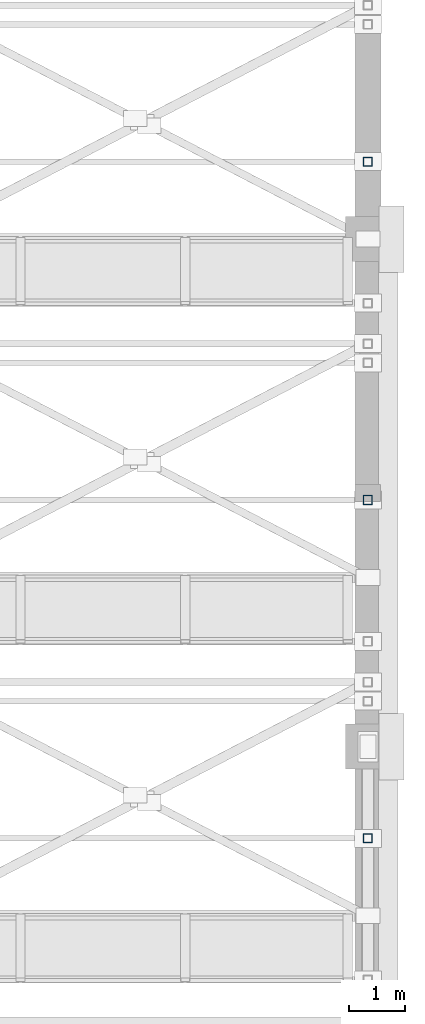
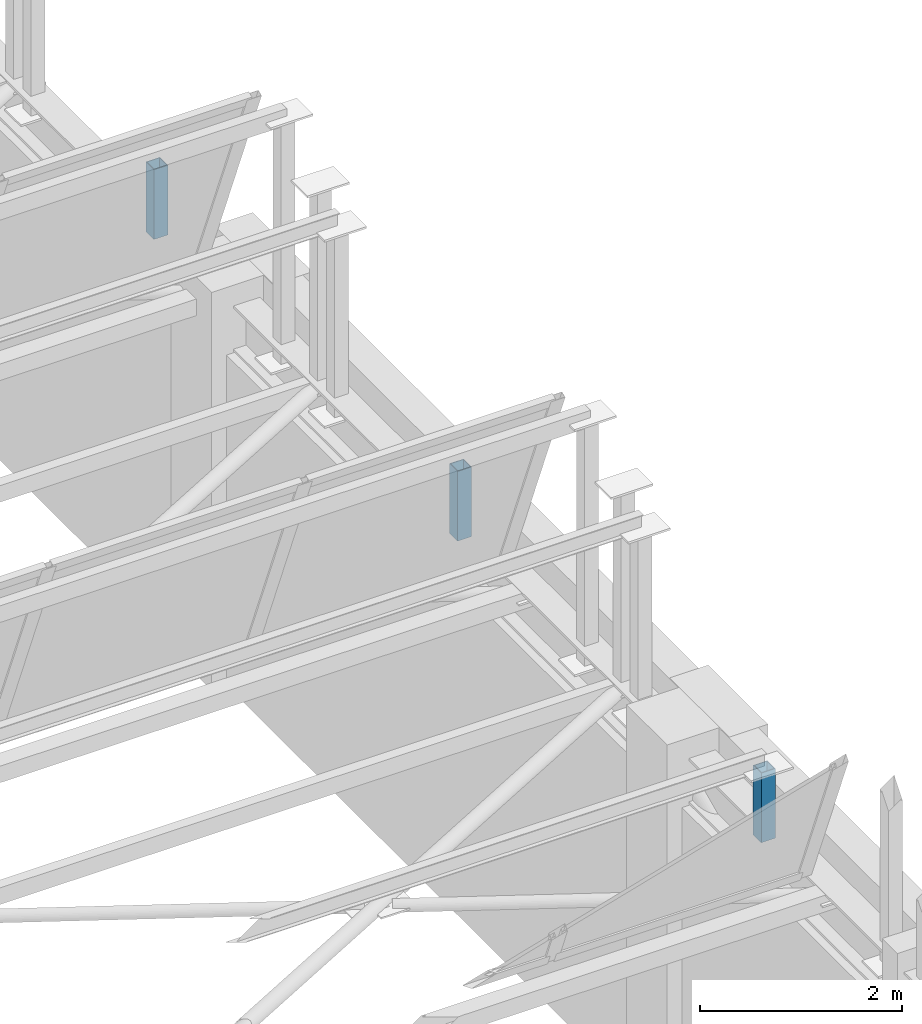
# One storey, part 66 of 98: 3 members.
"""IFC4 building model written with IfcOpenShell, lengths in metres."""

import ifcopenshell
import ifcopenshell.guid

model = None  # the IFC model being written
_history = None  # IfcOwnerHistory: only IFC2X3 demands one
_inside = {}  # id of a spatial element -> (the spatial element, [elements in it])
_under = {}  # id of a project, library or spatial element -> (it, [spatial elements below it])
_declared = {}  # id of a project -> (the project, [libraries it declares])
_typed = {}  # id of a type object -> (the type object, [elements of that type])
_made_of = {}  # id of a material, layer set ... -> (it, [elements and type objects made of it])


def new_model(schema):
    """Start an empty IFC model of exactly this schema.

    Asked for "IFC4X3", IfcOpenShell would pick the latest addendum, in which some entities
    have other attributes; the version numbers below select the first issue.
    IFC2X3 requires an IfcOwnerHistory on every rooted entity: one is made here for all.
    """
    global model, _history
    if schema == "IFC4X3":
        model = ifcopenshell.file(schema_version=(4, 3, 0, 0))
    else:
        model = ifcopenshell.file(schema=schema)
    _inside.clear()
    _under.clear()
    _declared.clear()
    _typed.clear()
    _made_of.clear()
    _history = None
    if model.schema == "IFC2X3":
        org = make("IfcOrganization", Name="unknown")
        user = make(
            "IfcPersonAndOrganization",
            ThePerson=make("IfcPerson", FamilyName="unknown"),
            TheOrganization=org,
        )
        app = make(
            "IfcApplication",
            ApplicationDeveloper=org,
            Version="unknown",
            ApplicationFullName="unknown",
            ApplicationIdentifier="unknown",
        )
        _history = make(
            "IfcOwnerHistory",
            OwningUser=user,
            OwningApplication=app,
            ChangeAction="ADDED",
            CreationDate=0,
        )
    return model


def make(cls, **values):
    """One entity of the class cls with the attributes given. An attribute that is None is left unset."""
    return model.create_entity(
        cls, **{name: value for name, value in values.items() if value is not None}
    )


def rooted(cls, **values):
    """An entity with a GlobalId (a new one), such as an element, a storey or a relation."""
    return make(cls, GlobalId=ifcopenshell.guid.new(), OwnerHistory=_history, **values)


def si_unit(unit_type, name, prefix=None):
    """IfcSIUnit, for example si_unit("LENGTHUNIT", "METRE", prefix="MILLI")."""
    return make("IfcSIUnit", UnitType=unit_type, Prefix=prefix, Name=name)


def assignment(units):
    """IfcUnitAssignment: the units of a project."""
    return None if units is None else make("IfcUnitAssignment", Units=units)


def point(xyz):
    """IfcCartesianPoint."""
    return None if xyz is None else make("IfcCartesianPoint", Coordinates=xyz)


def direction(xyz):
    """IfcDirection."""
    return None if xyz is None else make("IfcDirection", DirectionRatios=xyz)


def frame(location, z_axis=None, x_axis=None):
    """IfcAxis2Placement3D, a coordinate frame: its origin and axes. An axis left out is left unset."""
    return make(
        "IfcAxis2Placement3D",
        Location=point(location),
        Axis=direction(z_axis),
        RefDirection=direction(x_axis),
    )


def frame_2d(location, x_axis=None):
    """IfcAxis2Placement2D, a coordinate frame in the plane: its origin and x axis."""
    return make(
        "IfcAxis2Placement2D", Location=point(location), RefDirection=direction(x_axis)
    )


def origin():
    """The frame at (0, 0, 0) with its axes left unset."""
    return frame((0.0, 0.0, 0.0))


def origin_2d():
    """The frame at (0, 0) in the plane with its x axis left unset."""
    return frame_2d((0.0, 0.0))


def place(relative_to, where):
    """IfcLocalPlacement: puts the frame where relative to a parent placement (None: the world)."""
    return make(
        "IfcLocalPlacement", PlacementRelTo=relative_to, RelativePlacement=where
    )


def context(
    kind, dimensions, precision=None, world=None, true_north=None, identifier=None
):
    """IfcGeometricRepresentationContext, for example the 3D "Model" context."""
    return make(
        "IfcGeometricRepresentationContext",
        ContextIdentifier=identifier,
        ContextType=kind,
        CoordinateSpaceDimension=dimensions,
        Precision=precision,
        WorldCoordinateSystem=world,
        TrueNorth=true_north,
    )


def subcontext(parent, identifier, kind, view, scale=None):
    """IfcGeometricRepresentationSubContext, for example "Body" below "Model"."""
    return make(
        "IfcGeometricRepresentationSubContext",
        ContextIdentifier=identifier,
        ContextType=kind,
        ParentContext=parent,
        TargetScale=scale,
        TargetView=view,
    )


def project(units=None, contexts=None):
    """IfcProject with its units and contexts."""
    return rooted(
        "IfcProject",
        Name="project",
        RepresentationContexts=contexts,
        UnitsInContext=assignment(units),
    )


def spatial(cls, under=None, at=None, **own):
    """A site, building, storey or space (cls), placed at a placement, below another one or the project."""
    s = rooted(cls, ObjectPlacement=at, **own)
    if under is not None:
        _under.setdefault(under.id(), (under, []))[1].append(s)
    return s


def profile(cls, at=None, kind="AREA", **sizes):
    """A parametric profile (cls). Its sizes go by their IFC names, for example OverallWidth=200.0."""
    return make(cls, ProfileType=kind, Position=at, **sizes)


def hollow_rectangle(**sizes):
    """IfcRectangleHollowProfileDef."""
    return profile("IfcRectangleHollowProfileDef", **sizes)


def extrude(swept, where, along, depth):
    """IfcExtrudedAreaSolid: the profile swept, set in the frame where, extruded along a direction by depth."""
    return make(
        "IfcExtrudedAreaSolid",
        SweptArea=swept,
        Position=where,
        ExtrudedDirection=direction(along),
        Depth=depth,
    )


def shape(context_of_items, identifier, shape_type, items):
    """IfcShapeRepresentation: the items that make up one representation, for example the "Body"."""
    return make(
        "IfcShapeRepresentation",
        ContextOfItems=context_of_items,
        RepresentationIdentifier=identifier,
        RepresentationType=shape_type,
        Items=items,
    )


def material(Name=None, Category=None):
    """IfcMaterial."""
    return make("IfcMaterial", Name=Name, Category=Category)


def material_profile(
    of_material, cross_section, Name=None, Category=None, Priority=None
):
    """IfcMaterialProfile: a cross section and its material."""
    return make(
        "IfcMaterialProfile",
        Name=Name,
        Material=of_material,
        Profile=cross_section,
        Priority=Priority,
        Category=Category,
    )


def profile_set(profiles, Name=None, composite=None):
    """IfcMaterialProfileSet."""
    return make(
        "IfcMaterialProfileSet",
        Name=Name,
        MaterialProfiles=profiles,
        CompositeProfile=composite,
    )


def made_of(thing, what):
    """Note that an element or type object is made of a material, layer set ...; save() writes the relation."""
    if what is not None:
        _made_of.setdefault(what.id(), (what, []))[1].append(thing)
    return thing


def type_object(cls, material=None, **own):
    """A type object (cls), such as IfcWallType, which elements share."""
    return made_of(rooted(cls, **own), material)


def element(
    cls,
    number,
    at=None,
    inside=None,
    cuts=None,
    type_object=None,
    material=None,
    context=None,
    identifier="Body",
    shape_type=None,
    held_by="IfcProductDefinitionShape",
    body=None,
    shapes=None,
    **own,
):
    """One element of the class cls, such as IfcWall. Its Tag is "e" and its number.

    at: its placement. inside: the storey or other place that contains it. cuts: it is an
    opening in that element (IfcRelVoidsElement). A single representation is given by context,
    identifier, shape_type and body (its items); several are given by shapes. held_by: the class
    of the entity that holds the representations. save() writes the other relations.
    """
    e = rooted(cls, Tag="e%d" % number, ObjectPlacement=at, **own)
    if body is not None:
        shapes = [shape(context, identifier, shape_type, body)]
    if shapes is not None:
        e.Representation = make(held_by, Representations=shapes)
    if inside is not None:
        _inside.setdefault(inside.id(), (inside, []))[1].append(e)
    if cuts is not None:
        rooted(
            "IfcRelVoidsElement", RelatingBuildingElement=cuts, RelatedOpeningElement=e
        )
    if type_object is not None:
        _typed.setdefault(type_object.id(), (type_object, []))[1].append(e)
    return made_of(e, material)


def aggregate(whole, parts):
    """IfcRelAggregates: a whole, such as a stair, and the parts it consists of."""
    return rooted("IfcRelAggregates", RelatingObject=whole, RelatedObjects=parts)


def save(model, path):
    """Write the relations noted so far, then the file.

    IfcRelAggregates (storeys below a building ...), IfcRelContainedInSpatialStructure (elements
    in a storey), IfcRelDefinesByType, IfcRelAssociatesMaterial and IfcRelDeclares: one each for
    every whole, place, type object, material and project.
    """
    for whole, parts in _under.values():
        aggregate(whole, parts)
    for where, things in _inside.values():
        rooted(
            "IfcRelContainedInSpatialStructure",
            RelatedElements=things,
            RelatingStructure=where,
        )
    for kind, things in _typed.values():
        rooted("IfcRelDefinesByType", RelatedObjects=things, RelatingType=kind)
    for what, things in _made_of.values():
        rooted("IfcRelAssociatesMaterial", RelatedObjects=things, RelatingMaterial=what)
    for by, libraries in _declared.values():
        rooted("IfcRelDeclares", RelatingContext=by, RelatedDefinitions=libraries)
    model.write(path)


model = new_model("IFC4")

# Units and contexts
model_context = context("Model", 3, precision=1e-05, world=origin(), true_north=direction((0.0, 1.0)))
body_context = subcontext(model_context, "Body", "Model", "MODEL_VIEW")
ifc_project = project(units=[si_unit("LENGTHUNIT", "METRE"), si_unit("AREAUNIT", "SQUARE_METRE"), si_unit("VOLUMEUNIT", "CUBIC_METRE"), si_unit("PLANEANGLEUNIT", "RADIAN"), si_unit("MASSUNIT", "GRAM", prefix="KILO")], contexts=[model_context])

# Site, building, storey
site_placement = place(None, origin())
site = spatial("IfcSite", under=ifc_project, at=site_placement, CompositionType="ELEMENT")
building_placement = place(site_placement, origin())
building = spatial("IfcBuilding", under=site, at=building_placement, Name="Lykobir Media Centre", CompositionType="ELEMENT")
storey_placement = place(building_placement, frame((0.0, 0.0, 10.199951171875)))
storey = spatial("IfcBuildingStorey", under=building, at=storey_placement, Name="L02", CompositionType="ELEMENT", Elevation=10.199951171875)

# Members
ifc_material = material(Name="Steel S355", Category="steel")
ifc_material_profile = material_profile(ifc_material, hollow_rectangle(XDim=0.159912109375, YDim=0.159912109375, WallThickness=0.008056640625, at=origin_2d()), Name="SHS 160x160x8")
ifc_profile_set = profile_set([ifc_material_profile], Name="Steel S355")
member_type = type_object("IfcMemberType", Name="BR-SHS160-E", PredefinedType="BRACE", material=ifc_profile_set)
for number, where, z_axis, x_axis, name in (
    (1, (168.0, 97.373291015625, 4.300048828125), (0.0, 0.0, 1.0), (1.0, 0.0, 0.0), "Diagonal brace MEM2-L02-1680-0974-0145-1680-0974-0378"),
    (2, (168.0, 103.373291015625, 4.300048828125), (0.0, 0.0, 1.0), (1.0, 0.0, 0.0), "Diagonal brace MEM2-L02-1680-1034-0145-1680-1034-0398"),
    (3, (168.0, 109.373291015625, 4.300048828125), (0.0, 0.0, 1.0), (1.0, 0.0, 0.0), "Diagonal brace MEM2-L02-1680-1094-0145-1680-1094-0418"),
):
    element("IfcMember", number, at=place(storey_placement, frame(where, z_axis=z_axis, x_axis=x_axis)), inside=storey, type_object=member_type, Name=name, PredefinedType="BRACE", context=body_context, shape_type="SweptSolid", body=[
        extrude(hollow_rectangle(XDim=0.159912109375, YDim=0.159912109375, WallThickness=0.008056640625, at=origin_2d()), origin(), (0.0, 0.0, 1.0), 0.84033203125),
    ])

save(model, "model.ifc")
